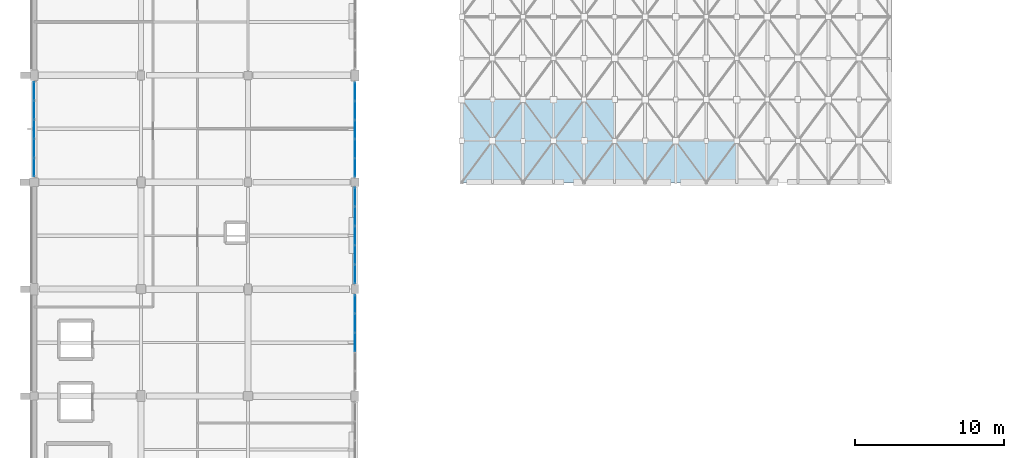
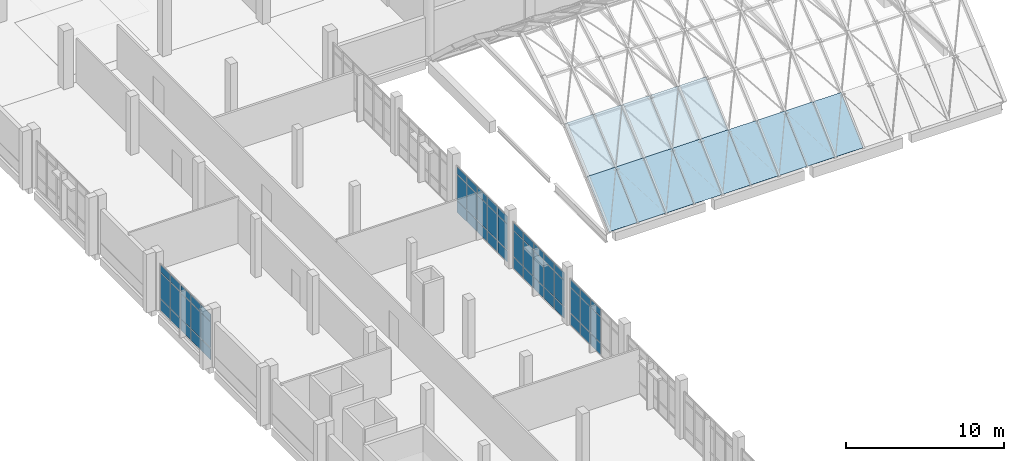
# One storey, part 61 of 87: 68 plates, 4 elements without a shape of their own.
"""IFC4 building model written with IfcOpenShell, lengths in metres."""

import ifcopenshell
import ifcopenshell.guid

model = None  # the IFC model being written
_history = None  # IfcOwnerHistory: only IFC2X3 demands one
_inside = {}  # id of a spatial element -> (the spatial element, [elements in it])
_under = {}  # id of a project, library or spatial element -> (it, [spatial elements below it])
_declared = {}  # id of a project -> (the project, [libraries it declares])
_typed = {}  # id of a type object -> (the type object, [elements of that type])
_made_of = {}  # id of a material, layer set ... -> (it, [elements and type objects made of it])


def new_model(schema):
    """Start an empty IFC model of exactly this schema.

    Asked for "IFC4X3", IfcOpenShell would pick the latest addendum, in which some entities
    have other attributes; the version numbers below select the first issue.
    IFC2X3 requires an IfcOwnerHistory on every rooted entity: one is made here for all.
    """
    global model, _history
    if schema == "IFC4X3":
        model = ifcopenshell.file(schema_version=(4, 3, 0, 0))
    else:
        model = ifcopenshell.file(schema=schema)
    _inside.clear()
    _under.clear()
    _declared.clear()
    _typed.clear()
    _made_of.clear()
    _history = None
    if model.schema == "IFC2X3":
        org = make("IfcOrganization", Name="unknown")
        user = make(
            "IfcPersonAndOrganization",
            ThePerson=make("IfcPerson", FamilyName="unknown"),
            TheOrganization=org,
        )
        app = make(
            "IfcApplication",
            ApplicationDeveloper=org,
            Version="unknown",
            ApplicationFullName="unknown",
            ApplicationIdentifier="unknown",
        )
        _history = make(
            "IfcOwnerHistory",
            OwningUser=user,
            OwningApplication=app,
            ChangeAction="ADDED",
            CreationDate=0,
        )
    return model


def make(cls, **values):
    """One entity of the class cls with the attributes given. An attribute that is None is left unset."""
    return model.create_entity(
        cls, **{name: value for name, value in values.items() if value is not None}
    )


def rooted(cls, **values):
    """An entity with a GlobalId (a new one), such as an element, a storey or a relation."""
    return make(cls, GlobalId=ifcopenshell.guid.new(), OwnerHistory=_history, **values)


def si_unit(unit_type, name, prefix=None):
    """IfcSIUnit, for example si_unit("LENGTHUNIT", "METRE", prefix="MILLI")."""
    return make("IfcSIUnit", UnitType=unit_type, Prefix=prefix, Name=name)


def assignment(units):
    """IfcUnitAssignment: the units of a project."""
    return None if units is None else make("IfcUnitAssignment", Units=units)


def point(xyz):
    """IfcCartesianPoint."""
    return None if xyz is None else make("IfcCartesianPoint", Coordinates=xyz)


def direction(xyz):
    """IfcDirection."""
    return None if xyz is None else make("IfcDirection", DirectionRatios=xyz)


def frame(location, z_axis=None, x_axis=None):
    """IfcAxis2Placement3D, a coordinate frame: its origin and axes. An axis left out is left unset."""
    return make(
        "IfcAxis2Placement3D",
        Location=point(location),
        Axis=direction(z_axis),
        RefDirection=direction(x_axis),
    )


def frame_2d(location, x_axis=None):
    """IfcAxis2Placement2D, a coordinate frame in the plane: its origin and x axis."""
    return make(
        "IfcAxis2Placement2D", Location=point(location), RefDirection=direction(x_axis)
    )


def origin():
    """The frame at (0, 0, 0) with its axes left unset."""
    return frame((0.0, 0.0, 0.0))


def origin_2d():
    """The frame at (0, 0) in the plane with its x axis left unset."""
    return frame_2d((0.0, 0.0))


def place(relative_to, where):
    """IfcLocalPlacement: puts the frame where relative to a parent placement (None: the world)."""
    return make(
        "IfcLocalPlacement", PlacementRelTo=relative_to, RelativePlacement=where
    )


def context(
    kind, dimensions, precision=None, world=None, true_north=None, identifier=None
):
    """IfcGeometricRepresentationContext, for example the 3D "Model" context."""
    return make(
        "IfcGeometricRepresentationContext",
        ContextIdentifier=identifier,
        ContextType=kind,
        CoordinateSpaceDimension=dimensions,
        Precision=precision,
        WorldCoordinateSystem=world,
        TrueNorth=true_north,
    )


def subcontext(parent, identifier, kind, view, scale=None):
    """IfcGeometricRepresentationSubContext, for example "Body" below "Model"."""
    return make(
        "IfcGeometricRepresentationSubContext",
        ContextIdentifier=identifier,
        ContextType=kind,
        ParentContext=parent,
        TargetScale=scale,
        TargetView=view,
    )


def project(units=None, contexts=None):
    """IfcProject with its units and contexts."""
    return rooted(
        "IfcProject",
        Name="project",
        RepresentationContexts=contexts,
        UnitsInContext=assignment(units),
    )


def spatial(cls, under=None, at=None, **own):
    """A site, building, storey or space (cls), placed at a placement, below another one or the project."""
    s = rooted(cls, ObjectPlacement=at, **own)
    if under is not None:
        _under.setdefault(under.id(), (under, []))[1].append(s)
    return s


def polyline(points):
    """IfcPolyline through the points."""
    return make("IfcPolyline", Points=[point(p) for p in points])


def profile(cls, at=None, kind="AREA", **sizes):
    """A parametric profile (cls). Its sizes go by their IFC names, for example OverallWidth=200.0."""
    return make(cls, ProfileType=kind, Position=at, **sizes)


def rectangle(**sizes):
    """IfcRectangleProfileDef."""
    return profile("IfcRectangleProfileDef", **sizes)


def outline(outer, holes=None, kind="AREA"):
    """IfcArbitraryClosedProfileDef: a profile drawn as a closed curve; with holes, ...WithVoids."""
    if holes is None:
        return make("IfcArbitraryClosedProfileDef", ProfileType=kind, OuterCurve=outer)
    return make(
        "IfcArbitraryProfileDefWithVoids",
        ProfileType=kind,
        OuterCurve=outer,
        InnerCurves=holes,
    )


def extrude(swept, where, along, depth):
    """IfcExtrudedAreaSolid: the profile swept, set in the frame where, extruded along a direction by depth."""
    return make(
        "IfcExtrudedAreaSolid",
        SweptArea=swept,
        Position=where,
        ExtrudedDirection=direction(along),
        Depth=depth,
    )


def shape(context_of_items, identifier, shape_type, items):
    """IfcShapeRepresentation: the items that make up one representation, for example the "Body"."""
    return make(
        "IfcShapeRepresentation",
        ContextOfItems=context_of_items,
        RepresentationIdentifier=identifier,
        RepresentationType=shape_type,
        Items=items,
    )


def material(Name=None, Category=None):
    """IfcMaterial."""
    return make("IfcMaterial", Name=Name, Category=Category)


def layer(
    of_material, thickness, ventilated=None, Name=None, Category=None, Priority=None
):
    """IfcMaterialLayer: one layer of a wall or slab, of a material (None: an air gap)."""
    return make(
        "IfcMaterialLayer",
        Material=of_material,
        LayerThickness=thickness,
        IsVentilated=ventilated,
        Name=Name,
        Category=Category,
        Priority=Priority,
    )


def layer_set(layers, Name=None):
    """IfcMaterialLayerSet."""
    return make("IfcMaterialLayerSet", MaterialLayers=layers, LayerSetName=Name)


def made_of(thing, what):
    """Note that an element or type object is made of a material, layer set ...; save() writes the relation."""
    if what is not None:
        _made_of.setdefault(what.id(), (what, []))[1].append(thing)
    return thing


def type_object(cls, material=None, **own):
    """A type object (cls), such as IfcWallType, which elements share."""
    return made_of(rooted(cls, **own), material)


def element(
    cls,
    number,
    at=None,
    inside=None,
    cuts=None,
    type_object=None,
    material=None,
    context=None,
    identifier="Body",
    shape_type=None,
    held_by="IfcProductDefinitionShape",
    body=None,
    shapes=None,
    **own,
):
    """One element of the class cls, such as IfcWall. Its Tag is "e" and its number.

    at: its placement. inside: the storey or other place that contains it. cuts: it is an
    opening in that element (IfcRelVoidsElement). A single representation is given by context,
    identifier, shape_type and body (its items); several are given by shapes. held_by: the class
    of the entity that holds the representations. save() writes the other relations.
    """
    e = rooted(cls, Tag="e%d" % number, ObjectPlacement=at, **own)
    if body is not None:
        shapes = [shape(context, identifier, shape_type, body)]
    if shapes is not None:
        e.Representation = make(held_by, Representations=shapes)
    if inside is not None:
        _inside.setdefault(inside.id(), (inside, []))[1].append(e)
    if cuts is not None:
        rooted(
            "IfcRelVoidsElement", RelatingBuildingElement=cuts, RelatedOpeningElement=e
        )
    if type_object is not None:
        _typed.setdefault(type_object.id(), (type_object, []))[1].append(e)
    return made_of(e, material)


def aggregate(whole, parts):
    """IfcRelAggregates: a whole, such as a stair, and the parts it consists of."""
    return rooted("IfcRelAggregates", RelatingObject=whole, RelatedObjects=parts)


def save(model, path):
    """Write the relations noted so far, then the file.

    IfcRelAggregates (storeys below a building ...), IfcRelContainedInSpatialStructure (elements
    in a storey), IfcRelDefinesByType, IfcRelAssociatesMaterial and IfcRelDeclares: one each for
    every whole, place, type object, material and project.
    """
    for whole, parts in _under.values():
        aggregate(whole, parts)
    for where, things in _inside.values():
        rooted(
            "IfcRelContainedInSpatialStructure",
            RelatedElements=things,
            RelatingStructure=where,
        )
    for kind, things in _typed.values():
        rooted("IfcRelDefinesByType", RelatedObjects=things, RelatingType=kind)
    for what, things in _made_of.values():
        rooted("IfcRelAssociatesMaterial", RelatedObjects=things, RelatingMaterial=what)
    for by, libraries in _declared.values():
        rooted("IfcRelDeclares", RelatingContext=by, RelatedDefinitions=libraries)
    model.write(path)


model = new_model("IFC4")

# Units and contexts
model_context = context("Model", 3, precision=1e-05, world=origin(), true_north=direction((0.0, 1.0)))
body_context = subcontext(model_context, "Body", "Model", "MODEL_VIEW")
ifc_project = project(units=[si_unit("LENGTHUNIT", "METRE"), si_unit("AREAUNIT", "SQUARE_METRE"), si_unit("VOLUMEUNIT", "CUBIC_METRE"), si_unit("PLANEANGLEUNIT", "RADIAN"), si_unit("MASSUNIT", "GRAM", prefix="KILO")], contexts=[model_context])

# Site, building, storey
site_placement = place(None, origin())
site = spatial("IfcSite", under=ifc_project, at=site_placement, CompositionType="ELEMENT")
building_placement = place(site_placement, origin())
building = spatial("IfcBuilding", under=site, at=building_placement, Name="Kalluvel Institute of Natural Sciences", CompositionType="ELEMENT")
storey_placement = place(building_placement, frame((0.0, 0.0, 18.89990234375)))
storey = spatial("IfcBuildingStorey", under=building, at=storey_placement, Name="L04", CompositionType="ELEMENT", Elevation=18.89990234375)

# Curtain wall, plates
ifc_material_1 = material(Name="Aluminium AW-6063 T6", Category="aluminium")
curtain_wall_type = type_object("IfcCurtainWallType", Name="CW-DRY-45", PredefinedType="USERDEFINED", material=ifc_material_1)
curtain_wall_1_placement = place(storey_placement, origin())
curtain_wall_1 = element("IfcCurtainWall", 1, at=curtain_wall_1_placement, inside=storey, type_object=curtain_wall_type, Name="L04 Gothic lancet curtain wall CWA-L04-X140-Y720", ObjectType="UNITISED LANCET FACADE", PredefinedType="USERDEFINED")
ifc_material_2 = material(Name="Solar-Control Low-E Laminated Glass", Category="glass")
ifc_layer_1 = layer(ifc_material_2, 0.028076171875)
ifc_layer_set_1 = layer_set([ifc_layer_1], Name="Solar-Control Low-E Laminated Glass")
plate_type_1 = type_object("IfcPlateType", Name="CWP-DGU-28", PredefinedType="CURTAIN_PANEL", material=ifc_layer_set_1)
plate_1_placement = place(storey_placement, frame((14.0, 72.610107421875, 0.06005859375), z_axis=(0.0, 0.0, 1.0), x_axis=(0.0, 1.0, 0.0)))
plate_1 = element("IfcPlate", 2, at=plate_1_placement, type_object=plate_type_1, Name="CW-03 panel 1.1", PredefinedType="CURTAIN_PANEL", context=body_context, shape_type="SweptSolid", body=[
    extrude(rectangle(XDim=1.199951171875, YDim=0.028076171875, at=origin_2d()), origin(), (0.0, 0.0, 1.0), 0.860107421875),
])
plate_2_placement = place(storey_placement, frame((14.0, 72.610107421875, 0.980224609375), z_axis=(0.0, 0.0, 1.0), x_axis=(0.0, 1.0, 0.0)))
plate_2 = element("IfcPlate", 3, at=plate_2_placement, type_object=plate_type_1, Name="CW-03 panel 1.2", PredefinedType="CURTAIN_PANEL", context=body_context, shape_type="SweptSolid", body=[
    extrude(rectangle(XDim=1.199951171875, YDim=0.028076171875, at=origin_2d()), origin(), (0.0, 0.0, 1.0), 1.9599609375),
])
plate_3_placement = place(storey_placement, frame((14.0, 72.610107421875, 3.0), z_axis=(0.0, 0.0, 1.0), x_axis=(0.0, 1.0, 0.0)))
plate_3 = element("IfcPlate", 4, at=plate_3_placement, type_object=plate_type_1, Name="CW-03 panel 1.3", PredefinedType="CURTAIN_PANEL", context=body_context, shape_type="SweptSolid", body=[
    extrude(rectangle(XDim=1.199951171875, YDim=0.028076171875, at=origin_2d()), origin(), (0.0, 0.0, 1.0), 0.56005859375),
])
plate_4_placement = place(storey_placement, frame((14.0, 73.885009765625, 0.06005859375), z_axis=(0.0, 0.0, 1.0), x_axis=(0.0, 1.0, 0.0)))
plate_4 = element("IfcPlate", 5, at=plate_4_placement, type_object=plate_type_1, Name="CW-03 panel 2.1", PredefinedType="CURTAIN_PANEL", context=body_context, shape_type="SweptSolid", body=[
    extrude(rectangle(XDim=1.22998046875, YDim=0.028076171875, at=origin_2d()), origin(), (0.0, 0.0, 1.0), 0.860107421875),
])
plate_5_placement = place(storey_placement, frame((14.0, 73.885009765625, 0.980224609375), z_axis=(0.0, 0.0, 1.0), x_axis=(0.0, 1.0, 0.0)))
plate_5 = element("IfcPlate", 6, at=plate_5_placement, type_object=plate_type_1, Name="CW-03 panel 2.2", PredefinedType="CURTAIN_PANEL", context=body_context, shape_type="SweptSolid", body=[
    extrude(rectangle(XDim=1.22998046875, YDim=0.028076171875, at=origin_2d()), origin(), (0.0, 0.0, 1.0), 1.9599609375),
])
plate_6_placement = place(storey_placement, frame((14.0, 73.885009765625, 3.0), z_axis=(0.0, 0.0, 1.0), x_axis=(0.0, 1.0, 0.0)))
plate_6 = element("IfcPlate", 7, at=plate_6_placement, type_object=plate_type_1, Name="CW-03 panel 2.3", PredefinedType="CURTAIN_PANEL", context=body_context, shape_type="SweptSolid", body=[
    extrude(rectangle(XDim=1.22998046875, YDim=0.028076171875, at=origin_2d()), origin(), (0.0, 0.0, 1.0), 0.56005859375),
])
plate_7_placement = place(storey_placement, frame((14.0, 75.175048828125, 0.06005859375), z_axis=(0.0, 0.0, 1.0), x_axis=(0.0, 1.0, 0.0)))
plate_7 = element("IfcPlate", 8, at=plate_7_placement, type_object=plate_type_1, Name="CW-03 panel 3.1", PredefinedType="CURTAIN_PANEL", context=body_context, shape_type="SweptSolid", body=[
    extrude(rectangle(XDim=1.22998046875, YDim=0.028076171875, at=origin_2d()), origin(), (0.0, 0.0, 1.0), 0.860107421875),
])
plate_8_placement = place(storey_placement, frame((14.0, 75.175048828125, 0.980224609375), z_axis=(0.0, 0.0, 1.0), x_axis=(0.0, 1.0, 0.0)))
plate_8 = element("IfcPlate", 9, at=plate_8_placement, type_object=plate_type_1, Name="CW-03 panel 3.2", PredefinedType="CURTAIN_PANEL", context=body_context, shape_type="SweptSolid", body=[
    extrude(rectangle(XDim=1.22998046875, YDim=0.028076171875, at=origin_2d()), origin(), (0.0, 0.0, 1.0), 1.9599609375),
])
plate_9_placement = place(storey_placement, frame((14.0, 75.175048828125, 3.0), z_axis=(0.0, 0.0, 1.0), x_axis=(0.0, 1.0, 0.0)))
plate_9 = element("IfcPlate", 10, at=plate_9_placement, type_object=plate_type_1, Name="CW-03 panel 3.3", PredefinedType="CURTAIN_PANEL", context=body_context, shape_type="SweptSolid", body=[
    extrude(rectangle(XDim=1.22998046875, YDim=0.028076171875, at=origin_2d()), origin(), (0.0, 0.0, 1.0), 0.56005859375),
])
plate_10_placement = place(storey_placement, frame((14.0, 76.465087890625, 0.06005859375), z_axis=(0.0, 0.0, 1.0), x_axis=(0.0, 1.0, 0.0)))
plate_10 = element("IfcPlate", 11, at=plate_10_placement, type_object=plate_type_1, Name="CW-03 panel 4.1", PredefinedType="CURTAIN_PANEL", context=body_context, shape_type="SweptSolid", body=[
    extrude(rectangle(XDim=1.22998046875, YDim=0.028076171875, at=origin_2d()), origin(), (0.0, 0.0, 1.0), 0.860107421875),
])
plate_11_placement = place(storey_placement, frame((14.0, 76.465087890625, 0.980224609375), z_axis=(0.0, 0.0, 1.0), x_axis=(0.0, 1.0, 0.0)))
plate_11 = element("IfcPlate", 12, at=plate_11_placement, type_object=plate_type_1, Name="CW-03 panel 4.2", PredefinedType="CURTAIN_PANEL", context=body_context, shape_type="SweptSolid", body=[
    extrude(rectangle(XDim=1.22998046875, YDim=0.028076171875, at=origin_2d()), origin(), (0.0, 0.0, 1.0), 1.9599609375),
])
plate_12_placement = place(storey_placement, frame((14.0, 76.465087890625, 3.0), z_axis=(0.0, 0.0, 1.0), x_axis=(0.0, 1.0, 0.0)))
plate_12 = element("IfcPlate", 13, at=plate_12_placement, type_object=plate_type_1, Name="CW-03 panel 4.3", PredefinedType="CURTAIN_PANEL", context=body_context, shape_type="SweptSolid", body=[
    extrude(rectangle(XDim=1.22998046875, YDim=0.028076171875, at=origin_2d()), origin(), (0.0, 0.0, 1.0), 0.56005859375),
])
plate_13_placement = place(storey_placement, frame((14.0, 77.739990234375, 0.06005859375), z_axis=(0.0, 0.0, 1.0), x_axis=(0.0, 1.0, 0.0)))
plate_13 = element("IfcPlate", 14, at=plate_13_placement, type_object=plate_type_1, Name="CW-03 panel 5.1", PredefinedType="CURTAIN_PANEL", context=body_context, shape_type="SweptSolid", body=[
    extrude(rectangle(XDim=1.199951171875, YDim=0.028076171875, at=origin_2d()), origin(), (0.0, 0.0, 1.0), 0.860107421875),
])
plate_14_placement = place(storey_placement, frame((14.0, 77.739990234375, 0.980224609375), z_axis=(0.0, 0.0, 1.0), x_axis=(0.0, 1.0, 0.0)))
plate_14 = element("IfcPlate", 15, at=plate_14_placement, type_object=plate_type_1, Name="CW-03 panel 5.2", PredefinedType="CURTAIN_PANEL", context=body_context, shape_type="SweptSolid", body=[
    extrude(rectangle(XDim=1.199951171875, YDim=0.028076171875, at=origin_2d()), origin(), (0.0, 0.0, 1.0), 1.9599609375),
])
plate_15_placement = place(storey_placement, frame((14.0, 77.739990234375, 3.0), z_axis=(0.0, 0.0, 1.0), x_axis=(0.0, 1.0, 0.0)))
plate_15 = element("IfcPlate", 16, at=plate_15_placement, type_object=plate_type_1, Name="CW-03 panel 5.3", PredefinedType="CURTAIN_PANEL", context=body_context, shape_type="SweptSolid", body=[
    extrude(rectangle(XDim=1.199951171875, YDim=0.028076171875, at=origin_2d()), origin(), (0.0, 0.0, 1.0), 0.56005859375),
])
aggregate(curtain_wall_1, [plate_1, plate_2, plate_3, plate_4, plate_5, plate_6, plate_7, plate_8, plate_9, plate_10, plate_11, plate_12, plate_13, plate_14, plate_15])

curtain_wall_2_placement = place(storey_placement, origin())
curtain_wall_2 = element("IfcCurtainWall", 17, at=curtain_wall_2_placement, inside=storey, type_object=curtain_wall_type, Name="L04 Gothic lancet curtain wall CWA-L04-X356-Y576", ObjectType="UNITISED LANCET FACADE", PredefinedType="USERDEFINED")
plate_16_placement = place(storey_placement, frame((35.60009765625, 60.824951171875, 0.06005859375), z_axis=(0.0, 0.0, 1.0), x_axis=(0.0, 1.0, 0.0)))
plate_16 = element("IfcPlate", 18, at=plate_16_placement, type_object=plate_type_1, Name="CW-03 panel 3.1", PredefinedType="CURTAIN_PANEL", context=body_context, shape_type="SweptSolid", body=[
    extrude(rectangle(XDim=1.22998046875, YDim=0.028076171875, at=origin_2d()), origin(), (0.0, 0.0, 1.0), 0.860107421875),
])
plate_17_placement = place(storey_placement, frame((35.60009765625, 60.824951171875, 0.980224609375), z_axis=(0.0, 0.0, 1.0), x_axis=(0.0, 1.0, 0.0)))
plate_17 = element("IfcPlate", 19, at=plate_17_placement, type_object=plate_type_1, Name="CW-03 panel 3.2", PredefinedType="CURTAIN_PANEL", context=body_context, shape_type="SweptSolid", body=[
    extrude(rectangle(XDim=1.22998046875, YDim=0.028076171875, at=origin_2d()), origin(), (0.0, 0.0, 1.0), 1.9599609375),
])
plate_18_placement = place(storey_placement, frame((35.60009765625, 60.824951171875, 3.0), z_axis=(0.0, 0.0, 1.0), x_axis=(0.0, 1.0, 0.0)))
plate_18 = element("IfcPlate", 20, at=plate_18_placement, type_object=plate_type_1, Name="CW-03 panel 3.3", PredefinedType="CURTAIN_PANEL", context=body_context, shape_type="SweptSolid", body=[
    extrude(rectangle(XDim=1.22998046875, YDim=0.028076171875, at=origin_2d()), origin(), (0.0, 0.0, 1.0), 0.56005859375),
])
plate_19_placement = place(storey_placement, frame((35.60009765625, 62.114990234375, 0.06005859375), z_axis=(0.0, 0.0, 1.0), x_axis=(0.0, 1.0, 0.0)))
plate_19 = element("IfcPlate", 21, at=plate_19_placement, type_object=plate_type_1, Name="CW-03 panel 4.1", PredefinedType="CURTAIN_PANEL", context=body_context, shape_type="SweptSolid", body=[
    extrude(rectangle(XDim=1.22998046875, YDim=0.028076171875, at=origin_2d()), origin(), (0.0, 0.0, 1.0), 0.860107421875),
])
plate_20_placement = place(storey_placement, frame((35.60009765625, 62.114990234375, 0.980224609375), z_axis=(0.0, 0.0, 1.0), x_axis=(0.0, 1.0, 0.0)))
plate_20 = element("IfcPlate", 22, at=plate_20_placement, type_object=plate_type_1, Name="CW-03 panel 4.2", PredefinedType="CURTAIN_PANEL", context=body_context, shape_type="SweptSolid", body=[
    extrude(rectangle(XDim=1.22998046875, YDim=0.028076171875, at=origin_2d()), origin(), (0.0, 0.0, 1.0), 1.9599609375),
])
plate_21_placement = place(storey_placement, frame((35.60009765625, 62.114990234375, 3.0), z_axis=(0.0, 0.0, 1.0), x_axis=(0.0, 1.0, 0.0)))
plate_21 = element("IfcPlate", 23, at=plate_21_placement, type_object=plate_type_1, Name="CW-03 panel 4.3", PredefinedType="CURTAIN_PANEL", context=body_context, shape_type="SweptSolid", body=[
    extrude(rectangle(XDim=1.22998046875, YDim=0.028076171875, at=origin_2d()), origin(), (0.0, 0.0, 1.0), 0.56005859375),
])
plate_22_placement = place(storey_placement, frame((35.60009765625, 63.389892578125, 0.06005859375), z_axis=(0.0, 0.0, 1.0), x_axis=(0.0, 1.0, 0.0)))
plate_22 = element("IfcPlate", 24, at=plate_22_placement, type_object=plate_type_1, Name="CW-03 panel 5.1", PredefinedType="CURTAIN_PANEL", context=body_context, shape_type="SweptSolid", body=[
    extrude(rectangle(XDim=1.199951171875, YDim=0.028076171875, at=origin_2d()), origin(), (0.0, 0.0, 1.0), 0.860107421875),
])
plate_23_placement = place(storey_placement, frame((35.60009765625, 63.389892578125, 0.980224609375), z_axis=(0.0, 0.0, 1.0), x_axis=(0.0, 1.0, 0.0)))
plate_23 = element("IfcPlate", 25, at=plate_23_placement, type_object=plate_type_1, Name="CW-03 panel 5.2", PredefinedType="CURTAIN_PANEL", context=body_context, shape_type="SweptSolid", body=[
    extrude(rectangle(XDim=1.199951171875, YDim=0.028076171875, at=origin_2d()), origin(), (0.0, 0.0, 1.0), 1.9599609375),
])
plate_24_placement = place(storey_placement, frame((35.60009765625, 63.389892578125, 3.0), z_axis=(0.0, 0.0, 1.0), x_axis=(0.0, 1.0, 0.0)))
plate_24 = element("IfcPlate", 26, at=plate_24_placement, type_object=plate_type_1, Name="CW-03 panel 5.3", PredefinedType="CURTAIN_PANEL", context=body_context, shape_type="SweptSolid", body=[
    extrude(rectangle(XDim=1.199951171875, YDim=0.028076171875, at=origin_2d()), origin(), (0.0, 0.0, 1.0), 0.56005859375),
])
aggregate(curtain_wall_2, [plate_16, plate_17, plate_18, plate_19, plate_20, plate_21, plate_22, plate_23, plate_24])

curtain_wall_3_placement = place(storey_placement, origin())
curtain_wall_3 = element("IfcCurtainWall", 27, at=curtain_wall_3_placement, inside=storey, type_object=curtain_wall_type, Name="L04 Gothic lancet curtain wall CWA-L04-X356-Y648", ObjectType="UNITISED LANCET FACADE", PredefinedType="USERDEFINED")
plate_25_placement = place(storey_placement, frame((35.60009765625, 65.41748046875, 0.06005859375), z_axis=(0.0, 0.0, 1.0), x_axis=(0.0, 1.0, 0.0)))
plate_25 = element("IfcPlate", 28, at=plate_25_placement, type_object=plate_type_1, Name="CW-03 panel 1.1", PredefinedType="CURTAIN_PANEL", context=body_context, shape_type="SweptSolid", body=[
    extrude(rectangle(XDim=1.215087890625, YDim=0.028076171875, at=origin_2d()), origin(), (0.0, 0.0, 1.0), 0.860107421875),
])
plate_26_placement = place(storey_placement, frame((35.60009765625, 65.41748046875, 0.980224609375), z_axis=(0.0, 0.0, 1.0), x_axis=(0.0, 1.0, 0.0)))
plate_26 = element("IfcPlate", 29, at=plate_26_placement, type_object=plate_type_1, Name="CW-03 panel 1.2", PredefinedType="CURTAIN_PANEL", context=body_context, shape_type="SweptSolid", body=[
    extrude(rectangle(XDim=1.215087890625, YDim=0.028076171875, at=origin_2d()), origin(), (0.0, 0.0, 1.0), 1.9599609375),
])
plate_27_placement = place(storey_placement, frame((35.60009765625, 65.41748046875, 3.0), z_axis=(0.0, 0.0, 1.0), x_axis=(0.0, 1.0, 0.0)))
plate_27 = element("IfcPlate", 30, at=plate_27_placement, type_object=plate_type_1, Name="CW-03 panel 1.3", PredefinedType="CURTAIN_PANEL", context=body_context, shape_type="SweptSolid", body=[
    extrude(rectangle(XDim=1.215087890625, YDim=0.028076171875, at=origin_2d()), origin(), (0.0, 0.0, 1.0), 0.56005859375),
])
plate_28_placement = place(storey_placement, frame((35.60009765625, 66.70751953125, 0.06005859375), z_axis=(0.0, 0.0, 1.0), x_axis=(0.0, 1.0, 0.0)))
plate_28 = element("IfcPlate", 31, at=plate_28_placement, type_object=plate_type_1, Name="CW-03 panel 2.1", PredefinedType="CURTAIN_PANEL", context=body_context, shape_type="SweptSolid", body=[
    extrude(rectangle(XDim=1.2451171875, YDim=0.028076171875, at=origin_2d()), origin(), (0.0, 0.0, 1.0), 0.860107421875),
])
plate_29_placement = place(storey_placement, frame((35.60009765625, 66.70751953125, 0.980224609375), z_axis=(0.0, 0.0, 1.0), x_axis=(0.0, 1.0, 0.0)))
plate_29 = element("IfcPlate", 32, at=plate_29_placement, type_object=plate_type_1, Name="CW-03 panel 2.2", PredefinedType="CURTAIN_PANEL", context=body_context, shape_type="SweptSolid", body=[
    extrude(rectangle(XDim=1.2451171875, YDim=0.028076171875, at=origin_2d()), origin(), (0.0, 0.0, 1.0), 1.9599609375),
])
plate_30_placement = place(storey_placement, frame((35.60009765625, 66.70751953125, 3.0), z_axis=(0.0, 0.0, 1.0), x_axis=(0.0, 1.0, 0.0)))
plate_30 = element("IfcPlate", 33, at=plate_30_placement, type_object=plate_type_1, Name="CW-03 panel 2.3", PredefinedType="CURTAIN_PANEL", context=body_context, shape_type="SweptSolid", body=[
    extrude(rectangle(XDim=1.2451171875, YDim=0.028076171875, at=origin_2d()), origin(), (0.0, 0.0, 1.0), 0.56005859375),
])
plate_31_placement = place(storey_placement, frame((35.60009765625, 68.012451171875, 0.06005859375), z_axis=(0.0, 0.0, 1.0), x_axis=(0.0, 1.0, 0.0)))
plate_31 = element("IfcPlate", 34, at=plate_31_placement, type_object=plate_type_1, Name="CW-03 panel 3.1", PredefinedType="CURTAIN_PANEL", context=body_context, shape_type="SweptSolid", body=[
    extrude(rectangle(XDim=1.2451171875, YDim=0.028076171875, at=origin_2d()), origin(), (0.0, 0.0, 1.0), 0.860107421875),
])
plate_32_placement = place(storey_placement, frame((35.60009765625, 68.012451171875, 0.980224609375), z_axis=(0.0, 0.0, 1.0), x_axis=(0.0, 1.0, 0.0)))
plate_32 = element("IfcPlate", 35, at=plate_32_placement, type_object=plate_type_1, Name="CW-03 panel 3.2", PredefinedType="CURTAIN_PANEL", context=body_context, shape_type="SweptSolid", body=[
    extrude(rectangle(XDim=1.2451171875, YDim=0.028076171875, at=origin_2d()), origin(), (0.0, 0.0, 1.0), 1.9599609375),
])
plate_33_placement = place(storey_placement, frame((35.60009765625, 68.012451171875, 3.0), z_axis=(0.0, 0.0, 1.0), x_axis=(0.0, 1.0, 0.0)))
plate_33 = element("IfcPlate", 36, at=plate_33_placement, type_object=plate_type_1, Name="CW-03 panel 3.3", PredefinedType="CURTAIN_PANEL", context=body_context, shape_type="SweptSolid", body=[
    extrude(rectangle(XDim=1.2451171875, YDim=0.028076171875, at=origin_2d()), origin(), (0.0, 0.0, 1.0), 0.56005859375),
])
plate_34_placement = place(storey_placement, frame((35.60009765625, 69.3173828125, 0.06005859375), z_axis=(0.0, 0.0, 1.0), x_axis=(0.0, 1.0, 0.0)))
plate_34 = element("IfcPlate", 37, at=plate_34_placement, type_object=plate_type_1, Name="CW-03 panel 4.1", PredefinedType="CURTAIN_PANEL", context=body_context, shape_type="SweptSolid", body=[
    extrude(rectangle(XDim=1.2451171875, YDim=0.028076171875, at=origin_2d()), origin(), (0.0, 0.0, 1.0), 0.860107421875),
])
plate_35_placement = place(storey_placement, frame((35.60009765625, 69.3173828125, 0.980224609375), z_axis=(0.0, 0.0, 1.0), x_axis=(0.0, 1.0, 0.0)))
plate_35 = element("IfcPlate", 38, at=plate_35_placement, type_object=plate_type_1, Name="CW-03 panel 4.2", PredefinedType="CURTAIN_PANEL", context=body_context, shape_type="SweptSolid", body=[
    extrude(rectangle(XDim=1.2451171875, YDim=0.028076171875, at=origin_2d()), origin(), (0.0, 0.0, 1.0), 1.9599609375),
])
plate_36_placement = place(storey_placement, frame((35.60009765625, 69.3173828125, 3.0), z_axis=(0.0, 0.0, 1.0), x_axis=(0.0, 1.0, 0.0)))
plate_36 = element("IfcPlate", 39, at=plate_36_placement, type_object=plate_type_1, Name="CW-03 panel 4.3", PredefinedType="CURTAIN_PANEL", context=body_context, shape_type="SweptSolid", body=[
    extrude(rectangle(XDim=1.2451171875, YDim=0.028076171875, at=origin_2d()), origin(), (0.0, 0.0, 1.0), 0.56005859375),
])
plate_37_placement = place(storey_placement, frame((35.60009765625, 70.607421875, 0.06005859375), z_axis=(0.0, 0.0, 1.0), x_axis=(0.0, 1.0, 0.0)))
plate_37 = element("IfcPlate", 40, at=plate_37_placement, type_object=plate_type_1, Name="CW-03 panel 5.1", PredefinedType="CURTAIN_PANEL", context=body_context, shape_type="SweptSolid", body=[
    extrude(rectangle(XDim=1.215087890625, YDim=0.028076171875, at=origin_2d()), origin(), (0.0, 0.0, 1.0), 0.860107421875),
])
plate_38_placement = place(storey_placement, frame((35.60009765625, 70.607421875, 0.980224609375), z_axis=(0.0, 0.0, 1.0), x_axis=(0.0, 1.0, 0.0)))
plate_38 = element("IfcPlate", 41, at=plate_38_placement, type_object=plate_type_1, Name="CW-03 panel 5.2", PredefinedType="CURTAIN_PANEL", context=body_context, shape_type="SweptSolid", body=[
    extrude(rectangle(XDim=1.215087890625, YDim=0.028076171875, at=origin_2d()), origin(), (0.0, 0.0, 1.0), 1.9599609375),
])
plate_39_placement = place(storey_placement, frame((35.60009765625, 70.607421875, 3.0), z_axis=(0.0, 0.0, 1.0), x_axis=(0.0, 1.0, 0.0)))
plate_39 = element("IfcPlate", 42, at=plate_39_placement, type_object=plate_type_1, Name="CW-03 panel 5.3", PredefinedType="CURTAIN_PANEL", context=body_context, shape_type="SweptSolid", body=[
    extrude(rectangle(XDim=1.215087890625, YDim=0.028076171875, at=origin_2d()), origin(), (0.0, 0.0, 1.0), 0.56005859375),
])
aggregate(curtain_wall_3, [plate_25, plate_26, plate_27, plate_28, plate_29, plate_30, plate_31, plate_32, plate_33, plate_34, plate_35, plate_36, plate_37, plate_38, plate_39])

curtain_wall_4_placement = place(storey_placement, origin())
curtain_wall_4 = element("IfcCurtainWall", 43, at=curtain_wall_4_placement, inside=storey, type_object=curtain_wall_type, Name="L04 Gothic lancet curtain wall CWA-L04-X356-Y719", ObjectType="UNITISED LANCET FACADE", PredefinedType="USERDEFINED")
plate_40_placement = place(storey_placement, frame((35.60009765625, 72.5849609375, 0.06005859375), z_axis=(0.0, 0.0, 1.0), x_axis=(0.0, 1.0, 0.0)))
plate_40 = element("IfcPlate", 44, at=plate_40_placement, type_object=plate_type_1, Name="CW-03 panel 1.1", PredefinedType="CURTAIN_PANEL", context=body_context, shape_type="SweptSolid", body=[
    extrude(rectangle(XDim=1.199951171875, YDim=0.028076171875, at=origin_2d()), origin(), (0.0, 0.0, 1.0), 0.860107421875),
])
plate_41_placement = place(storey_placement, frame((35.60009765625, 72.5849609375, 0.980224609375), z_axis=(0.0, 0.0, 1.0), x_axis=(0.0, 1.0, 0.0)))
plate_41 = element("IfcPlate", 45, at=plate_41_placement, type_object=plate_type_1, Name="CW-03 panel 1.2", PredefinedType="CURTAIN_PANEL", context=body_context, shape_type="SweptSolid", body=[
    extrude(rectangle(XDim=1.199951171875, YDim=0.028076171875, at=origin_2d()), origin(), (0.0, 0.0, 1.0), 1.9599609375),
])
plate_42_placement = place(storey_placement, frame((35.60009765625, 72.5849609375, 3.0), z_axis=(0.0, 0.0, 1.0), x_axis=(0.0, 1.0, 0.0)))
plate_42 = element("IfcPlate", 46, at=plate_42_placement, type_object=plate_type_1, Name="CW-03 panel 1.3", PredefinedType="CURTAIN_PANEL", context=body_context, shape_type="SweptSolid", body=[
    extrude(rectangle(XDim=1.199951171875, YDim=0.028076171875, at=origin_2d()), origin(), (0.0, 0.0, 1.0), 0.56005859375),
])
plate_43_placement = place(storey_placement, frame((35.60009765625, 73.860107421875, 0.06005859375), z_axis=(0.0, 0.0, 1.0), x_axis=(0.0, 1.0, 0.0)))
plate_43 = element("IfcPlate", 47, at=plate_43_placement, type_object=plate_type_1, Name="CW-03 panel 2.1", PredefinedType="CURTAIN_PANEL", context=body_context, shape_type="SweptSolid", body=[
    extrude(rectangle(XDim=1.22998046875, YDim=0.028076171875, at=origin_2d()), origin(), (0.0, 0.0, 1.0), 0.860107421875),
])
plate_44_placement = place(storey_placement, frame((35.60009765625, 73.860107421875, 0.980224609375), z_axis=(0.0, 0.0, 1.0), x_axis=(0.0, 1.0, 0.0)))
plate_44 = element("IfcPlate", 48, at=plate_44_placement, type_object=plate_type_1, Name="CW-03 panel 2.2", PredefinedType="CURTAIN_PANEL", context=body_context, shape_type="SweptSolid", body=[
    extrude(rectangle(XDim=1.22998046875, YDim=0.028076171875, at=origin_2d()), origin(), (0.0, 0.0, 1.0), 1.9599609375),
])
plate_45_placement = place(storey_placement, frame((35.60009765625, 73.860107421875, 3.0), z_axis=(0.0, 0.0, 1.0), x_axis=(0.0, 1.0, 0.0)))
plate_45 = element("IfcPlate", 49, at=plate_45_placement, type_object=plate_type_1, Name="CW-03 panel 2.3", PredefinedType="CURTAIN_PANEL", context=body_context, shape_type="SweptSolid", body=[
    extrude(rectangle(XDim=1.22998046875, YDim=0.028076171875, at=origin_2d()), origin(), (0.0, 0.0, 1.0), 0.56005859375),
])
plate_46_placement = place(storey_placement, frame((35.60009765625, 75.14990234375, 0.06005859375), z_axis=(0.0, 0.0, 1.0), x_axis=(0.0, 1.0, 0.0)))
plate_46 = element("IfcPlate", 50, at=plate_46_placement, type_object=plate_type_1, Name="CW-03 panel 3.1", PredefinedType="CURTAIN_PANEL", context=body_context, shape_type="SweptSolid", body=[
    extrude(rectangle(XDim=1.22998046875, YDim=0.028076171875, at=origin_2d()), origin(), (0.0, 0.0, 1.0), 0.860107421875),
])
plate_47_placement = place(storey_placement, frame((35.60009765625, 75.14990234375, 0.980224609375), z_axis=(0.0, 0.0, 1.0), x_axis=(0.0, 1.0, 0.0)))
plate_47 = element("IfcPlate", 51, at=plate_47_placement, type_object=plate_type_1, Name="CW-03 panel 3.2", PredefinedType="CURTAIN_PANEL", context=body_context, shape_type="SweptSolid", body=[
    extrude(rectangle(XDim=1.22998046875, YDim=0.028076171875, at=origin_2d()), origin(), (0.0, 0.0, 1.0), 1.9599609375),
])
plate_48_placement = place(storey_placement, frame((35.60009765625, 75.14990234375, 3.0), z_axis=(0.0, 0.0, 1.0), x_axis=(0.0, 1.0, 0.0)))
plate_48 = element("IfcPlate", 52, at=plate_48_placement, type_object=plate_type_1, Name="CW-03 panel 3.3", PredefinedType="CURTAIN_PANEL", context=body_context, shape_type="SweptSolid", body=[
    extrude(rectangle(XDim=1.22998046875, YDim=0.028076171875, at=origin_2d()), origin(), (0.0, 0.0, 1.0), 0.56005859375),
])
plate_49_placement = place(storey_placement, frame((35.60009765625, 76.43994140625, 0.06005859375), z_axis=(0.0, 0.0, 1.0), x_axis=(0.0, 1.0, 0.0)))
plate_49 = element("IfcPlate", 53, at=plate_49_placement, type_object=plate_type_1, Name="CW-03 panel 4.1", PredefinedType="CURTAIN_PANEL", context=body_context, shape_type="SweptSolid", body=[
    extrude(rectangle(XDim=1.22998046875, YDim=0.028076171875, at=origin_2d()), origin(), (0.0, 0.0, 1.0), 0.860107421875),
])
plate_50_placement = place(storey_placement, frame((35.60009765625, 76.43994140625, 0.980224609375), z_axis=(0.0, 0.0, 1.0), x_axis=(0.0, 1.0, 0.0)))
plate_50 = element("IfcPlate", 54, at=plate_50_placement, type_object=plate_type_1, Name="CW-03 panel 4.2", PredefinedType="CURTAIN_PANEL", context=body_context, shape_type="SweptSolid", body=[
    extrude(rectangle(XDim=1.22998046875, YDim=0.028076171875, at=origin_2d()), origin(), (0.0, 0.0, 1.0), 1.9599609375),
])
plate_51_placement = place(storey_placement, frame((35.60009765625, 76.43994140625, 3.0), z_axis=(0.0, 0.0, 1.0), x_axis=(0.0, 1.0, 0.0)))
plate_51 = element("IfcPlate", 55, at=plate_51_placement, type_object=plate_type_1, Name="CW-03 panel 4.3", PredefinedType="CURTAIN_PANEL", context=body_context, shape_type="SweptSolid", body=[
    extrude(rectangle(XDim=1.22998046875, YDim=0.028076171875, at=origin_2d()), origin(), (0.0, 0.0, 1.0), 0.56005859375),
])
plate_52_placement = place(storey_placement, frame((35.60009765625, 77.715087890625, 0.06005859375), z_axis=(0.0, 0.0, 1.0), x_axis=(0.0, 1.0, 0.0)))
plate_52 = element("IfcPlate", 56, at=plate_52_placement, type_object=plate_type_1, Name="CW-03 panel 5.1", PredefinedType="CURTAIN_PANEL", context=body_context, shape_type="SweptSolid", body=[
    extrude(rectangle(XDim=1.199951171875, YDim=0.028076171875, at=origin_2d()), origin(), (0.0, 0.0, 1.0), 0.860107421875),
])
plate_53_placement = place(storey_placement, frame((35.60009765625, 77.715087890625, 0.980224609375), z_axis=(0.0, 0.0, 1.0), x_axis=(0.0, 1.0, 0.0)))
plate_53 = element("IfcPlate", 57, at=plate_53_placement, type_object=plate_type_1, Name="CW-03 panel 5.2", PredefinedType="CURTAIN_PANEL", context=body_context, shape_type="SweptSolid", body=[
    extrude(rectangle(XDim=1.199951171875, YDim=0.028076171875, at=origin_2d()), origin(), (0.0, 0.0, 1.0), 1.9599609375),
])
plate_54_placement = place(storey_placement, frame((35.60009765625, 77.715087890625, 3.0), z_axis=(0.0, 0.0, 1.0), x_axis=(0.0, 1.0, 0.0)))
plate_54 = element("IfcPlate", 58, at=plate_54_placement, type_object=plate_type_1, Name="CW-03 panel 5.3", PredefinedType="CURTAIN_PANEL", context=body_context, shape_type="SweptSolid", body=[
    extrude(rectangle(XDim=1.199951171875, YDim=0.028076171875, at=origin_2d()), origin(), (0.0, 0.0, 1.0), 0.56005859375),
])
aggregate(curtain_wall_4, [plate_40, plate_41, plate_42, plate_43, plate_44, plate_45, plate_46, plate_47, plate_48, plate_49, plate_50, plate_51, plate_52, plate_53, plate_54])

# Plates
ifc_layer_2 = layer(ifc_material_2, 0.035888671875)
ifc_layer_set_2 = layer_set([ifc_layer_2], Name="Solar-Control Low-E Laminated Glass")
plate_type_2 = type_object("IfcPlateType", Name="PL-VAULT-GLASS-36", PredefinedType="USERDEFINED", material=ifc_layer_set_2)
plate_55_placement = place(storey_placement, frame((42.800048828125, 71.60009765625, 0.09521484375), z_axis=(0.0, -0.680098507525, 0.73312074044), x_axis=(1.0, 0.0, 0.0)))
element("IfcPlate", 59, at=plate_55_placement, inside=storey, type_object=plate_type_2, Name="Atrium glass gridshell vault roof panel 1.1", ObjectType="VAULT GLAZING PANEL", PredefinedType="USERDEFINED", context=body_context, shape_type="SweptSolid", body=[
    extrude(outline(polyline([(0.0, 0.0), (2.05712890625, 0.0), (2.05712890625, 3.798708665239415), (0.0, 3.798708665239415), (0.0, 0.0)])), origin(), (0.0, 0.0, -1.0), 0.035888671875),
])
plate_56_placement = place(storey_placement, frame((42.800048828125, 74.385009765625, 2.6787109375), z_axis=(0.0, -0.651732680748, 0.758448754264), x_axis=(1.0, 0.0, 0.0)))
element("IfcPlate", 60, at=plate_56_placement, inside=storey, type_object=plate_type_2, Name="Atrium glass gridshell vault roof panel 1.2", ObjectType="VAULT GLAZING PANEL", PredefinedType="USERDEFINED", context=body_context, shape_type="SweptSolid", body=[
    extrude(outline(polyline([(0.0, 0.0), (2.05712890625, 0.0), (2.05712890625, 3.6718527042442486), (0.0, 3.6718527042442486), (0.0, 0.0)])), origin(), (0.0, 0.0, -1.0), 0.035888671875),
])
plate_57_placement = place(storey_placement, frame((44.857177734375, 71.60009765625, 0.09521484375), z_axis=(0.0, -0.680098507525, 0.73312074044), x_axis=(1.0, 0.0, 0.0)))
element("IfcPlate", 61, at=plate_57_placement, inside=storey, type_object=plate_type_2, Name="Atrium glass gridshell vault roof panel 2.1", ObjectType="VAULT GLAZING PANEL", PredefinedType="USERDEFINED", context=body_context, shape_type="SweptSolid", body=[
    extrude(outline(polyline([(0.0, 0.0), (2.05712890625, 0.0), (2.05712890625, 3.798708665239415), (0.0, 3.798708665239415), (0.0, 0.0)])), origin(), (0.0, 0.0, -1.0), 0.035888671875),
])
plate_58_placement = place(storey_placement, frame((44.857177734375, 74.385009765625, 2.6787109375), z_axis=(0.0, -0.651732680748, 0.758448754264), x_axis=(1.0, 0.0, 0.0)))
element("IfcPlate", 62, at=plate_58_placement, inside=storey, type_object=plate_type_2, Name="Atrium glass gridshell vault roof panel 2.2", ObjectType="VAULT GLAZING PANEL", PredefinedType="USERDEFINED", context=body_context, shape_type="SweptSolid", body=[
    extrude(outline(polyline([(0.0, 0.0), (2.05712890625, 0.0), (2.05712890625, 3.6718527042442486), (0.0, 3.6718527042442486), (0.0, 0.0)])), origin(), (0.0, 0.0, -1.0), 0.035888671875),
])
plate_59_placement = place(storey_placement, frame((46.914306640625, 71.60009765625, 0.09521484375), z_axis=(0.0, -0.680098507525, 0.73312074044), x_axis=(1.0, 0.0, 0.0)))
element("IfcPlate", 63, at=plate_59_placement, inside=storey, type_object=plate_type_2, Name="Atrium glass gridshell vault roof panel 3.1", ObjectType="VAULT GLAZING PANEL", PredefinedType="USERDEFINED", context=body_context, shape_type="SweptSolid", body=[
    extrude(outline(polyline([(0.0, 0.0), (2.05712890625, 0.0), (2.05712890625, 3.798708665239415), (0.0, 3.798708665239415), (0.0, 0.0)])), origin(), (0.0, 0.0, -1.0), 0.035888671875),
])
plate_60_placement = place(storey_placement, frame((46.914306640625, 74.385009765625, 2.6787109375), z_axis=(0.0, -0.651732680748, 0.758448754264), x_axis=(1.0, 0.0, 0.0)))
element("IfcPlate", 64, at=plate_60_placement, inside=storey, type_object=plate_type_2, Name="Atrium glass gridshell vault roof panel 3.2", ObjectType="VAULT GLAZING PANEL", PredefinedType="USERDEFINED", context=body_context, shape_type="SweptSolid", body=[
    extrude(outline(polyline([(0.0, 0.0), (2.05712890625, 0.0), (2.05712890625, 3.6718527042442486), (0.0, 3.6718527042442486), (0.0, 0.0)])), origin(), (0.0, 0.0, -1.0), 0.035888671875),
])
plate_61_placement = place(storey_placement, frame((48.971435546875, 71.60009765625, 0.09521484375), z_axis=(0.0, -0.680098507525, 0.73312074044), x_axis=(1.0, 0.0, 0.0)))
element("IfcPlate", 65, at=plate_61_placement, inside=storey, type_object=plate_type_2, Name="Atrium glass gridshell vault roof panel 4.1", ObjectType="VAULT GLAZING PANEL", PredefinedType="USERDEFINED", context=body_context, shape_type="SweptSolid", body=[
    extrude(outline(polyline([(0.0, 0.0), (2.05712890625, 0.0), (2.05712890625, 3.798708665239415), (0.0, 3.798708665239415), (0.0, 0.0)])), origin(), (0.0, 0.0, -1.0), 0.035888671875),
])
plate_62_placement = place(storey_placement, frame((48.971435546875, 74.385009765625, 2.6787109375), z_axis=(0.0, -0.651732680748, 0.758448754264), x_axis=(1.0, 0.0, 0.0)))
element("IfcPlate", 66, at=plate_62_placement, inside=storey, type_object=plate_type_2, Name="Atrium glass gridshell vault roof panel 4.2", ObjectType="VAULT GLAZING PANEL", PredefinedType="USERDEFINED", context=body_context, shape_type="SweptSolid", body=[
    extrude(outline(polyline([(0.0, 0.0), (2.05712890625, 0.0), (2.05712890625, 3.6718527042442486), (0.0, 3.6718527042442486), (0.0, 0.0)])), origin(), (0.0, 0.0, -1.0), 0.035888671875),
])
plate_63_placement = place(storey_placement, frame((51.028564453125, 71.60009765625, 0.09521484375), z_axis=(0.0, -0.680098507525, 0.73312074044), x_axis=(1.0, 0.0, 0.0)))
element("IfcPlate", 67, at=plate_63_placement, inside=storey, type_object=plate_type_2, Name="Atrium glass gridshell vault roof panel 5.1", ObjectType="VAULT GLAZING PANEL", PredefinedType="USERDEFINED", context=body_context, shape_type="SweptSolid", body=[
    extrude(outline(polyline([(0.0, 0.0), (2.05712890625, 0.0), (2.05712890625, 3.798708665239415), (0.0, 3.798708665239415), (0.0, 0.0)])), origin(), (0.0, 0.0, -1.0), 0.035888671875),
])
plate_64_placement = place(storey_placement, frame((51.028564453125, 74.385009765625, 2.6787109375), z_axis=(0.0, -0.651732680748, 0.758448754264), x_axis=(1.0, 0.0, 0.0)))
element("IfcPlate", 68, at=plate_64_placement, inside=storey, type_object=plate_type_2, Name="Atrium glass gridshell vault roof panel 5.2", ObjectType="VAULT GLAZING PANEL", PredefinedType="USERDEFINED", context=body_context, shape_type="SweptSolid", body=[
    extrude(outline(polyline([(0.0, 0.0), (2.05712890625, 0.0), (2.05712890625, 3.6718527042442486), (0.0, 3.6718527042442486), (0.0, 0.0)])), origin(), (0.0, 0.0, -1.0), 0.035888671875),
])
for number, where, z_axis, x_axis, name in (
    (69, (53.085693359375, 71.60009765625, 0.09521484375), (0.0, -0.680098507525, 0.73312074044), (1.0, 0.0, 0.0), "Atrium glass gridshell vault roof panel 6.1"),
    (70, (55.142822265625, 71.60009765625, 0.09521484375), (0.0, -0.680098507525, 0.73312074044), (1.0, 0.0, 0.0), "Atrium glass gridshell vault roof panel 7.1"),
    (71, (57.199951171875, 71.60009765625, 0.09521484375), (0.0, -0.680098507525, 0.73312074044), (1.0, 0.0, 0.0), "Atrium glass gridshell vault roof panel 8.1"),
    (72, (59.257080078125, 71.60009765625, 0.09521484375), (0.0, -0.680098507525, 0.73312074044), (1.0, 0.0, 0.0), "Atrium glass gridshell vault roof panel 9.1"),
):
    element("IfcPlate", number, at=place(storey_placement, frame(where, z_axis=z_axis, x_axis=x_axis)), inside=storey, type_object=plate_type_2, Name=name, ObjectType="VAULT GLAZING PANEL", PredefinedType="USERDEFINED", context=body_context, shape_type="SweptSolid", body=[
        extrude(outline(polyline([(0.0, 0.0), (2.05712890625, 0.0), (2.05712890625, 3.798708665239415), (0.0, 3.798708665239415), (0.0, 0.0)])), origin(), (0.0, 0.0, -1.0), 0.035888671875),
    ])

save(model, "model.ifc")
